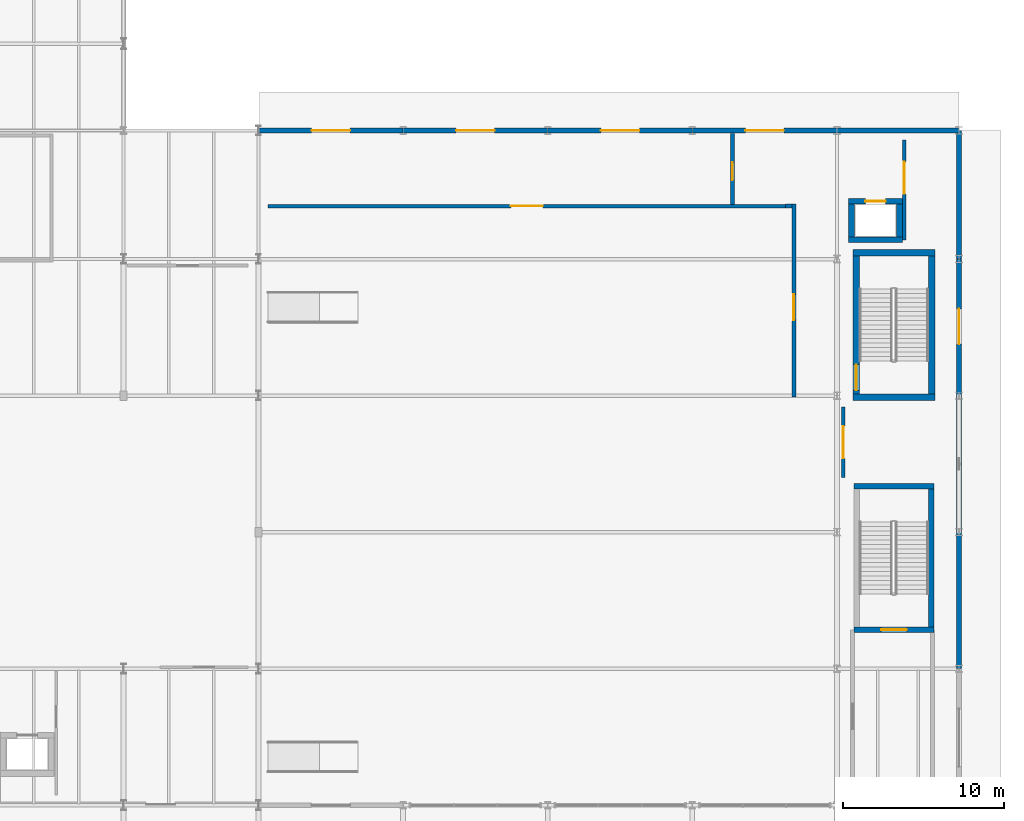
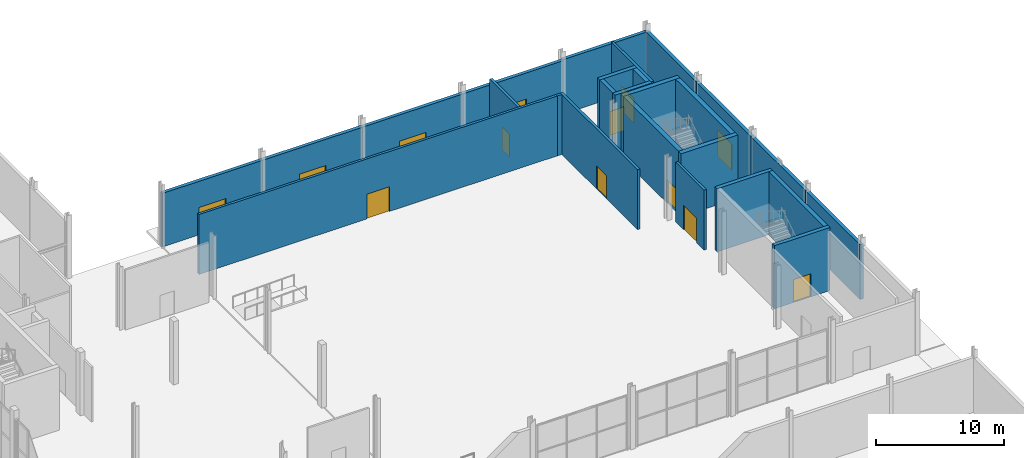
# One storey, part 63 of 84: 26 walls, 13 doors, 13 openings.
"""IFC4 building model written with IfcOpenShell, lengths in metres."""

from ifc_helpers import new_model, si_unit, direction, frame, frame_2d, origin, place, context, subcontext, project, spatial, rectangle, extrude, material, layer, layer_set, type_object, element, fill, save


model = new_model("IFC4")

# Units and contexts
model_context = context("Model", 3, precision=1e-05, world=origin(), true_north=direction((0.0, 1.0)))
body_context = subcontext(model_context, "Body", "Model", "MODEL_VIEW")
ifc_project = project(units=[si_unit("LENGTHUNIT", "METRE"), si_unit("AREAUNIT", "SQUARE_METRE"), si_unit("VOLUMEUNIT", "CUBIC_METRE"), si_unit("PLANEANGLEUNIT", "RADIAN"), si_unit("MASSUNIT", "GRAM", prefix="KILO")], contexts=[model_context])

# Site, building, storey
site_placement = place(None, origin())
site = spatial("IfcSite", under=ifc_project, at=site_placement, CompositionType="ELEMENT")
building_placement = place(site_placement, origin())
building = spatial("IfcBuilding", under=site, at=building_placement, Name="Sefraquen Railside Congress Hotel", CompositionType="ELEMENT")
storey_placement = place(building_placement, origin())
storey = spatial("IfcBuildingStorey", under=building, at=storey_placement, Name="L00", CompositionType="ELEMENT", Elevation=0.0)

# Wall, opening, door
ifc_material_1 = material(Name="Acoustic double stud and gypsum board", Category="gypsum")
ifc_layer_1 = layer(ifc_material_1, 0.219970703125)
ifc_layer_set_1 = layer_set([ifc_layer_1], Name="Acoustic double stud and gypsum board")
wall_type_1 = type_object("IfcWallType", Name="TW-AW-220", PredefinedType="PARTITIONING", material=ifc_layer_set_1)
wall_1_placement = place(storey_placement, frame((129.0, 91.300048828125, 0.0), z_axis=(0.0, 0.0, 1.0), x_axis=(1.0, 0.0, 0.0)))
wall_1 = element("IfcWall", 1, at=wall_1_placement, inside=storey, type_object=wall_type_1, Name="Grand Ballroom enclosure wall", PredefinedType="PARTITIONING", context=body_context, shape_type="SweptSolid", body=[
    extrude(rectangle(XDim=32.199951171875, YDim=0.219970703125, at=frame_2d((16.10009765625, 0.0))), origin(), (0.0, 0.0, 1.0), 5.699951171875),
])
opening_1_placement = place(wall_1_placement, frame((15.10009765625, 0.0, 0.0)))
opening_1 = element("IfcOpeningElement", 2, at=opening_1_placement, cuts=wall_1, Name="Opening AD-02", PredefinedType="OPENING", context=body_context, shape_type="SweptSolid", body=[
    extrude(rectangle(XDim=2.0, YDim=2.35009765625, at=frame_2d((1.0, 1.175048828125))), frame((0.0, 0.119873046875, 0.0), z_axis=(0.0, -1.0, 0.0), x_axis=(1.0, 0.0, 0.0)), (0.0, 0.0, 1.0), 0.239990234375),
])
ifc_material_2 = material(Name="Acoustic Atlas cedar timber", Category="wood")
door_type_1 = type_object("IfcDoorType", Name="TD-AD-02", OperationType="NOTDEFINED", PredefinedType="DOOR", material=ifc_material_2)
door_1_placement = place(opening_1_placement, origin())
door_1 = element("IfcDoor", 3, at=door_1_placement, inside=storey, type_object=door_type_1, Name="Grand Ballroom entrance door", OperationType="DOUBLE_SWING_LEFT", OverallHeight=2.35009765625, OverallWidth=2.0, PredefinedType="DOOR", context=body_context, shape_type="SweptSolid", body=[
    extrude(rectangle(XDim=2.0, YDim=2.35009765625, at=frame_2d((1.0, 1.175048828125))), frame((0.0, 0.02490234375, 0.0), z_axis=(0.0, -1.0, 0.0), x_axis=(1.0, 0.0, 0.0)), (0.0, 0.0, 1.0), 0.050048828125),
])
fill(opening_1, door_1)

wall_2_placement = place(storey_placement, frame((164.800048828125, 74.39990234375, 0.0), z_axis=(0.0, 0.0, 1.0), x_axis=(0.0, 1.0, 0.0)))
wall_2 = element("IfcWall", 4, at=wall_2_placement, inside=storey, type_object=wall_type_1, Name="Ballroom Banquet Finishing Pantry enclosure wall", PredefinedType="PARTITIONING", context=body_context, shape_type="SweptSolid", body=[
    extrude(rectangle(XDim=4.400146484375, YDim=0.219970703125, at=frame_2d((2.2001953125, 0.0))), origin(), (0.0, 0.0, 1.0), 5.699951171875),
])
opening_2_placement = place(wall_2_placement, frame((1.199951171875, 0.0, 0.0)))
opening_2 = element("IfcOpeningElement", 5, at=opening_2_placement, cuts=wall_2, Name="Opening AD-02", PredefinedType="OPENING", context=body_context, shape_type="SweptSolid", body=[
    extrude(rectangle(XDim=2.0, YDim=2.35009765625, at=frame_2d((1.0, 1.175048828125))), frame((0.0, 0.119873046875, 0.0), z_axis=(0.0, -1.0, 0.0), x_axis=(1.0, 0.0, 0.0)), (0.0, 0.0, 1.0), 0.239990234375),
])
door_2_placement = place(opening_2_placement, origin())
door_2 = element("IfcDoor", 6, at=door_2_placement, inside=storey, type_object=door_type_1, Name="Ballroom Banquet Finishing Pantry entrance door", OperationType="DOUBLE_SWING_LEFT", OverallHeight=2.35009765625, OverallWidth=2.0, PredefinedType="DOOR", context=body_context, shape_type="SweptSolid", body=[
    extrude(rectangle(XDim=2.0, YDim=2.35009765625, at=frame_2d((1.0, 1.175048828125))), frame((0.0, 0.02490234375, 0.0), z_axis=(0.0, -1.0, 0.0), x_axis=(1.0, 0.0, 0.0)), (0.0, 0.0, 1.0), 0.050048828125),
])
fill(opening_2, door_2)

wall_3_placement = place(storey_placement, frame((168.60009765625, 89.199951171875, 0.0), z_axis=(0.0, 0.0, 1.0), x_axis=(0.0, 1.0, 0.0)))
wall_3 = element("IfcWall", 7, at=wall_3_placement, inside=storey, type_object=wall_type_1, Name="Ballroom Public Accessible WC enclosure wall", PredefinedType="PARTITIONING", context=body_context, shape_type="SweptSolid", body=[
    extrude(rectangle(XDim=6.199951171875, YDim=0.219970703125, at=frame_2d((3.10009765625, 0.0))), origin(), (0.0, 0.0, 1.0), 5.699951171875),
])
opening_3_placement = place(wall_3_placement, frame((2.85009765625, 0.0, 0.0)))
opening_3 = element("IfcOpeningElement", 8, at=opening_3_placement, cuts=wall_3, Name="Opening AD-02", PredefinedType="OPENING", context=body_context, shape_type="SweptSolid", body=[
    extrude(rectangle(XDim=2.0, YDim=2.35009765625, at=frame_2d((1.0, 1.175048828125))), frame((0.0, 0.119873046875, 0.0), z_axis=(0.0, -1.0, 0.0), x_axis=(1.0, 0.0, 0.0)), (0.0, 0.0, 1.0), 0.239990234375),
])
door_3_placement = place(opening_3_placement, origin())
door_3 = element("IfcDoor", 9, at=door_3_placement, inside=storey, type_object=door_type_1, Name="Ballroom Public Accessible WC entrance door", OperationType="DOUBLE_SWING_LEFT", OverallHeight=2.35009765625, OverallWidth=2.0, PredefinedType="DOOR", context=body_context, shape_type="SweptSolid", body=[
    extrude(rectangle(XDim=2.0, YDim=2.35009765625, at=frame_2d((1.0, 1.175048828125))), frame((0.0, 0.02490234375, 0.0), z_axis=(0.0, -1.0, 0.0), x_axis=(1.0, 0.0, 0.0)), (0.0, 0.0, 1.0), 0.050048828125),
])
fill(opening_3, door_3)

# Wall
ifc_material_3 = material(Name="Concrete C50/60", Category="concrete")
ifc_layer_2 = layer(ifc_material_3, 0.35009765625)
ifc_layer_set_2 = layer_set([ifc_layer_2], Name="Concrete C50/60")
wall_type_2 = type_object("IfcWallType", Name="TW-CW-350", PredefinedType="SHEAR", material=ifc_layer_set_2)
wall_4_placement = place(storey_placement, frame((165.449951171875, 73.85498046875, 0.0), z_axis=(0.0, 0.0, 1.0), x_axis=(1.0, 0.0, 0.0)))
element("IfcWall", 10, at=wall_4_placement, inside=storey, type_object=wall_type_2, Name="Core shear wall ST-B02 N L00", PredefinedType="SHEAR", context=body_context, shape_type="SweptSolid", body=[
    extrude(rectangle(XDim=5.0, YDim=0.35009765625, at=frame_2d((2.5, 0.0))), origin(), (0.0, 0.0, 1.0), 6.0),
])

# Wall, opening, door
wall_5_placement = place(storey_placement, frame((165.449951171875, 64.925048828125, 0.0), z_axis=(0.0, 0.0, 1.0), x_axis=(1.0, 0.0, 0.0)))
wall_5 = element("IfcWall", 11, at=wall_5_placement, inside=storey, type_object=wall_type_2, Name="Core shear wall ST-B02 S L00", PredefinedType="SHEAR", context=body_context, shape_type="SweptSolid", body=[
    extrude(rectangle(XDim=5.0, YDim=0.35009765625, at=frame_2d((2.5, 0.0))), origin(), (0.0, 0.0, 1.0), 6.0),
])
opening_4_placement = place(wall_5_placement, frame((1.699951171875, 0.0, 0.0)))
opening_4 = element("IfcOpeningElement", 12, at=opening_4_placement, cuts=wall_5, Name="Opening FD-02", PredefinedType="OPENING", context=body_context, shape_type="SweptSolid", body=[
    extrude(rectangle(XDim=1.60009765625, YDim=2.199951171875, at=frame_2d((0.800048828125, 1.10009765625))), frame((0.0, 0.18505859375, 0.0), z_axis=(0.0, -1.0, 0.0), x_axis=(1.0, 0.0, 0.0)), (0.0, 0.0, 1.0), 0.3701171875),
])
ifc_material_4 = material(Name="Fire-rated steel", Category="steel")
door_type_2 = type_object("IfcDoorType", Name="TD-FD-02", OperationType="NOTDEFINED", PredefinedType="DOOR", material=ifc_material_4)
door_4_placement = place(opening_4_placement, frame((1.60009765625, 0.0, 0.0), z_axis=(0.0, 0.0, 1.0), x_axis=(-1.0, 0.0, 0.0)))
door_4 = element("IfcDoor", 13, at=door_4_placement, inside=storey, type_object=door_type_2, Name="Pressurized stair ST-B02 fire door L00", OperationType="SINGLE_SWING_RIGHT", OverallHeight=2.199951171875, OverallWidth=1.60009765625, PredefinedType="DOOR", context=body_context, shape_type="SweptSolid", body=[
    extrude(rectangle(XDim=1.60009765625, YDim=2.199951171875, at=frame_2d((0.800048828125, 1.10009765625))), frame((0.0, 0.02490234375, 0.0), z_axis=(0.0, -1.0, 0.0), x_axis=(1.0, 0.0, 0.0)), (0.0, 0.0, 1.0), 0.050048828125),
])
fill(opening_4, door_4)

# Wall
wall_6_placement = place(storey_placement, frame((170.27490234375, 65.10009765625, 0.0), z_axis=(0.0, 0.0, 1.0), x_axis=(0.0, 1.0, 0.0)))
element("IfcWall", 14, at=wall_6_placement, inside=storey, type_object=wall_type_2, Name="Core shear wall ST-B02 E L00", PredefinedType="SHEAR", context=body_context, shape_type="SweptSolid", body=[
    extrude(rectangle(XDim=8.579833984375, YDim=0.35009765625, at=frame_2d((4.2900390625, 0.0))), origin(), (0.0, 0.0, 1.0), 6.0),
])

# Wall, opening, door
wall_7_placement = place(storey_placement, frame((165.1298828125, 91.594970703125, 0.0), z_axis=(0.0, 0.0, 1.0), x_axis=(1.0, 0.0, 0.0)))
wall_7 = element("IfcWall", 15, at=wall_7_placement, inside=storey, type_object=wall_type_2, Name="Lift SL-02 shaft wall N L00", PredefinedType="SHEAR", context=body_context, shape_type="SweptSolid", body=[
    extrude(rectangle(XDim=3.340087890625, YDim=0.35009765625, at=frame_2d((1.669921875, 0.0))), origin(), (0.0, 0.0, 1.0), 5.699951171875),
])
opening_5_placement = place(wall_7_placement, frame((1.044921875, 0.0, 0.0)))
opening_5 = element("IfcOpeningElement", 16, at=opening_5_placement, cuts=wall_7, Name="Opening LD-02", PredefinedType="OPENING", context=body_context, shape_type="SweptSolid", body=[
    extrude(rectangle(XDim=1.25, YDim=2.25, at=frame_2d((0.625, 1.125))), frame((0.0, 0.18505859375, 0.0), z_axis=(0.0, -1.0, 0.0), x_axis=(1.0, 0.0, 0.0)), (0.0, 0.0, 1.0), 0.3701171875),
])
ifc_material_5 = material(Name="Brushed stainless steel", Category="steel")
door_type_3 = type_object("IfcDoorType", Name="TD-LD-02", OperationType="NOTDEFINED", PredefinedType="DOOR", material=ifc_material_5)
door_5_placement = place(opening_5_placement, origin())
door_5 = element("IfcDoor", 17, at=door_5_placement, inside=storey, type_object=door_type_3, Name="Lift landing door SL-02 L00", OperationType="SLIDING_TO_LEFT", OverallHeight=2.25, OverallWidth=1.25, PredefinedType="DOOR", context=body_context, shape_type="SweptSolid", body=[
    extrude(rectangle(XDim=1.25, YDim=2.25, at=frame_2d((0.625, 1.125))), frame((0.0, 0.02490234375, 0.0), z_axis=(0.0, -1.0, 0.0), x_axis=(1.0, 0.0, 0.0)), (0.0, 0.0, 1.0), 0.050048828125),
])
fill(opening_5, door_5)

# Walls
wall_8_placement = place(storey_placement, frame((165.1298828125, 89.205078125, 0.0), z_axis=(0.0, 0.0, 1.0), x_axis=(1.0, 0.0, 0.0)))
element("IfcWall", 18, at=wall_8_placement, inside=storey, type_object=wall_type_2, Name="Lift SL-02 shaft wall S L00", PredefinedType="SHEAR", context=body_context, shape_type="SweptSolid", body=[
    extrude(rectangle(XDim=3.340087890625, YDim=0.35009765625, at=frame_2d((1.669921875, 0.0))), origin(), (0.0, 0.0, 1.0), 5.699951171875),
])
for number, where, z_axis, x_axis, name in (
    (19, (165.304931640625, 89.3798828125, 0.0), (0.0, 0.0, 1.0), (0.0, 1.0, 0.0), "Lift SL-02 shaft wall W L00"),
    (20, (168.294921875, 89.3798828125, 0.0), (0.0, 0.0, 1.0), (0.0, 1.0, 0.0), "Lift SL-02 shaft wall E L00"),
):
    element("IfcWall", number, at=place(storey_placement, frame(where, z_axis=z_axis, x_axis=x_axis)), inside=storey, type_object=wall_type_2, Name=name, PredefinedType="SHEAR", context=body_context, shape_type="SweptSolid", body=[
        extrude(rectangle(XDim=2.0400390625, YDim=0.35009765625, at=frame_2d((1.02001953125, 0.0))), origin(), (0.0, 0.0, 1.0), 5.699951171875),
    ])
ifc_layer_3 = layer(ifc_material_3, 0.39990234375)
ifc_layer_set_3 = layer_set([ifc_layer_3], Name="Concrete C50/60")
wall_type_3 = type_object("IfcWallType", Name="TW-CW-400", PredefinedType="SHEAR", material=ifc_layer_set_3)
for number, where, z_axis, x_axis, name in (
    (21, (165.39990234375, 88.3798828125, 0.0), (0.0, 0.0, 1.0), (1.0, 0.0, 0.0), "Core shear wall ST-B01 N L00"),
    (22, (165.39990234375, 79.39990234375, 0.0), (0.0, 0.0, 1.0), (1.0, 0.0, 0.0), "Core shear wall ST-B01 S L00"),
):
    element("IfcWall", number, at=place(storey_placement, frame(where, z_axis=z_axis, x_axis=x_axis)), inside=storey, type_object=wall_type_3, Name=name, PredefinedType="SHEAR", context=body_context, shape_type="SweptSolid", body=[
        extrude(rectangle(XDim=5.10009765625, YDim=0.39990234375, at=frame_2d((2.550048828125, 0.0))), origin(), (0.0, 0.0, 1.0), 6.0),
    ])

# Wall, opening, door
wall_9_placement = place(storey_placement, frame((165.60009765625, 79.60009765625, 0.0), z_axis=(0.0, 0.0, 1.0), x_axis=(0.0, 1.0, 0.0)))
wall_9 = element("IfcWall", 23, at=wall_9_placement, inside=storey, type_object=wall_type_3, Name="Core shear wall ST-B01 W L00", PredefinedType="SHEAR", context=body_context, shape_type="SweptSolid", body=[
    extrude(rectangle(XDim=8.579833984375, YDim=0.39990234375, at=frame_2d((4.2900390625, 0.0))), origin(), (0.0, 0.0, 1.0), 6.0),
])
opening_6_placement = place(wall_9_placement, frame((0.22509765625, 0.0, 0.0)))
opening_6 = element("IfcOpeningElement", 24, at=opening_6_placement, cuts=wall_9, Name="Opening FD-02", PredefinedType="OPENING", context=body_context, shape_type="SweptSolid", body=[
    extrude(rectangle(XDim=1.60009765625, YDim=2.199951171875, at=frame_2d((0.800048828125, 1.10009765625))), frame((0.0, 0.2099609375, 0.0), z_axis=(0.0, -1.0, 0.0), x_axis=(1.0, 0.0, 0.0)), (0.0, 0.0, 1.0), 0.419921875),
])
door_6_placement = place(opening_6_placement, origin())
door_6 = element("IfcDoor", 25, at=door_6_placement, inside=storey, type_object=door_type_2, Name="Pressurized stair ST-B01 fire door L00", OperationType="SINGLE_SWING_RIGHT", OverallHeight=2.199951171875, OverallWidth=1.60009765625, PredefinedType="DOOR", context=body_context, shape_type="SweptSolid", body=[
    extrude(rectangle(XDim=1.60009765625, YDim=2.199951171875, at=frame_2d((0.800048828125, 1.10009765625))), frame((0.0, 0.02490234375, 0.0), z_axis=(0.0, -1.0, 0.0), x_axis=(1.0, 0.0, 0.0)), (0.0, 0.0, 1.0), 0.050048828125),
])
fill(opening_6, door_6)

# Wall
wall_10_placement = place(storey_placement, frame((170.300048828125, 79.60009765625, 0.0), z_axis=(0.0, 0.0, 1.0), x_axis=(0.0, 1.0, 0.0)))
element("IfcWall", 26, at=wall_10_placement, inside=storey, type_object=wall_type_3, Name="Core shear wall ST-B01 E L00", PredefinedType="SHEAR", context=body_context, shape_type="SweptSolid", body=[
    extrude(rectangle(XDim=8.579833984375, YDim=0.39990234375, at=frame_2d((4.2900390625, 0.0))), origin(), (0.0, 0.0, 1.0), 6.0),
])

# Wall, opening, door
ifc_material_6 = material(Name="Ochre Rabat calcarenite limestone and Concrete C40/50 backing", Category="masonry")
ifc_layer_4 = layer(ifc_material_6, 0.300048828125)
ifc_layer_set_4 = layer_set([ifc_layer_4], Name="Ochre Rabat calcarenite limestone and Concrete C40/50 backing")
wall_type_4 = type_object("IfcWallType", Name="TW-EW-300", PredefinedType="STANDARD", material=ifc_layer_set_4)
wall_11_placement = place(storey_placement, frame((128.39990234375, 96.0, 0.0), z_axis=(0.0, 0.0, 1.0), x_axis=(1.0, 0.0, 0.0)))
wall_11 = element("IfcWall", 27, at=wall_11_placement, inside=storey, type_object=wall_type_4, Name="Grand Ballroom L00 N facade wall 1", PredefinedType="STANDARD", context=body_context, shape_type="SweptSolid", body=[
    extrude(rectangle(XDim=9.0, YDim=0.300048828125, at=frame_2d((4.5, 0.0))), origin(), (0.0, 0.0, 1.0), 5.090087890625),
])
opening_7_placement = place(wall_11_placement, frame((3.300048828125, 0.0, 0.0)))
opening_7 = element("IfcOpeningElement", 28, at=opening_7_placement, cuts=wall_11, Name="Opening ED-01", PredefinedType="OPENING", context=body_context, shape_type="SweptSolid", body=[
    extrude(rectangle(XDim=2.39990234375, YDim=2.60009765625, at=frame_2d((1.199951171875, 1.300048828125))), frame((0.0, 0.159912109375, 0.0), z_axis=(0.0, -1.0, 0.0), x_axis=(1.0, 0.0, 0.0)), (0.0, 0.0, 1.0), 0.320068359375),
])
ifc_material_7 = material(Name="Bronze and fire-rated laminated glass", Category="glass")
door_type_4 = type_object("IfcDoorType", Name="TD-ED-01", OperationType="NOTDEFINED", PredefinedType="DOOR", material=ifc_material_7)
door_7_placement = place(opening_7_placement, origin())
door_7 = element("IfcDoor", 29, at=door_7_placement, inside=storey, type_object=door_type_4, Name="Grand Ballroom north foyer final exit door 12", OperationType="DOUBLE_SWING_LEFT", OverallHeight=2.60009765625, OverallWidth=2.39990234375, PredefinedType="DOOR", context=body_context, shape_type="SweptSolid", body=[
    extrude(rectangle(XDim=2.39990234375, YDim=2.60009765625, at=frame_2d((1.199951171875, 1.300048828125))), frame((0.0, 0.02490234375, 0.0), z_axis=(0.0, -1.0, 0.0), x_axis=(1.0, 0.0, 0.0)), (0.0, 0.0, 1.0), 0.050048828125),
])
fill(opening_7, door_7)

wall_12_placement = place(storey_placement, frame((137.39990234375, 96.0, 0.0), z_axis=(0.0, 0.0, 1.0), x_axis=(1.0, 0.0, 0.0)))
wall_12 = element("IfcWall", 30, at=wall_12_placement, inside=storey, type_object=wall_type_4, Name="Grand Ballroom L00 N facade wall 2", PredefinedType="STANDARD", context=body_context, shape_type="SweptSolid", body=[
    extrude(rectangle(XDim=9.0, YDim=0.300048828125, at=frame_2d((4.5, 0.0))), origin(), (0.0, 0.0, 1.0), 5.090087890625),
])
opening_8_placement = place(wall_12_placement, frame((3.300048828125, 0.0, 0.0)))
opening_8 = element("IfcOpeningElement", 31, at=opening_8_placement, cuts=wall_12, Name="Opening ED-01", PredefinedType="OPENING", context=body_context, shape_type="SweptSolid", body=[
    extrude(rectangle(XDim=2.39990234375, YDim=2.60009765625, at=frame_2d((1.199951171875, 1.300048828125))), frame((0.0, 0.159912109375, 0.0), z_axis=(0.0, -1.0, 0.0), x_axis=(1.0, 0.0, 0.0)), (0.0, 0.0, 1.0), 0.320068359375),
])
door_8_placement = place(opening_8_placement, origin())
door_8 = element("IfcDoor", 32, at=door_8_placement, inside=storey, type_object=door_type_4, Name="Grand Ballroom north foyer final exit door 13", OperationType="DOUBLE_SWING_LEFT", OverallHeight=2.60009765625, OverallWidth=2.39990234375, PredefinedType="DOOR", context=body_context, shape_type="SweptSolid", body=[
    extrude(rectangle(XDim=2.39990234375, YDim=2.60009765625, at=frame_2d((1.199951171875, 1.300048828125))), frame((0.0, 0.02490234375, 0.0), z_axis=(0.0, -1.0, 0.0), x_axis=(1.0, 0.0, 0.0)), (0.0, 0.0, 1.0), 0.050048828125),
])
fill(opening_8, door_8)

wall_13_placement = place(storey_placement, frame((146.39990234375, 96.0, 0.0), z_axis=(0.0, 0.0, 1.0), x_axis=(1.0, 0.0, 0.0)))
wall_13 = element("IfcWall", 33, at=wall_13_placement, inside=storey, type_object=wall_type_4, Name="Grand Ballroom L00 N facade wall 3", PredefinedType="STANDARD", context=body_context, shape_type="SweptSolid", body=[
    extrude(rectangle(XDim=9.0, YDim=0.300048828125, at=frame_2d((4.5, 0.0))), origin(), (0.0, 0.0, 1.0), 5.090087890625),
])
opening_9_placement = place(wall_13_placement, frame((3.300048828125, 0.0, 0.0)))
opening_9 = element("IfcOpeningElement", 34, at=opening_9_placement, cuts=wall_13, Name="Opening ED-01", PredefinedType="OPENING", context=body_context, shape_type="SweptSolid", body=[
    extrude(rectangle(XDim=2.39990234375, YDim=2.60009765625, at=frame_2d((1.199951171875, 1.300048828125))), frame((0.0, 0.159912109375, 0.0), z_axis=(0.0, -1.0, 0.0), x_axis=(1.0, 0.0, 0.0)), (0.0, 0.0, 1.0), 0.320068359375),
])
door_9_placement = place(opening_9_placement, origin())
door_9 = element("IfcDoor", 35, at=door_9_placement, inside=storey, type_object=door_type_4, Name="Grand Ballroom north foyer final exit door 14", OperationType="DOUBLE_SWING_LEFT", OverallHeight=2.60009765625, OverallWidth=2.39990234375, PredefinedType="DOOR", context=body_context, shape_type="SweptSolid", body=[
    extrude(rectangle(XDim=2.39990234375, YDim=2.60009765625, at=frame_2d((1.199951171875, 1.300048828125))), frame((0.0, 0.02490234375, 0.0), z_axis=(0.0, -1.0, 0.0), x_axis=(1.0, 0.0, 0.0)), (0.0, 0.0, 1.0), 0.050048828125),
])
fill(opening_9, door_9)

wall_14_placement = place(storey_placement, frame((155.39990234375, 96.0, 0.0), z_axis=(0.0, 0.0, 1.0), x_axis=(1.0, 0.0, 0.0)))
wall_14 = element("IfcWall", 36, at=wall_14_placement, inside=storey, type_object=wall_type_4, Name="Grand Ballroom L00 N facade wall 4", PredefinedType="STANDARD", context=body_context, shape_type="SweptSolid", body=[
    extrude(rectangle(XDim=9.0, YDim=0.300048828125, at=frame_2d((4.5, 0.0))), origin(), (0.0, 0.0, 1.0), 5.090087890625),
])
opening_10_placement = place(wall_14_placement, frame((3.300048828125, 0.0, 0.0)))
opening_10 = element("IfcOpeningElement", 37, at=opening_10_placement, cuts=wall_14, Name="Opening ED-01", PredefinedType="OPENING", context=body_context, shape_type="SweptSolid", body=[
    extrude(rectangle(XDim=2.39990234375, YDim=2.60009765625, at=frame_2d((1.199951171875, 1.300048828125))), frame((0.0, 0.159912109375, 0.0), z_axis=(0.0, -1.0, 0.0), x_axis=(1.0, 0.0, 0.0)), (0.0, 0.0, 1.0), 0.320068359375),
])
door_10_placement = place(opening_10_placement, origin())
door_10 = element("IfcDoor", 38, at=door_10_placement, inside=storey, type_object=door_type_4, Name="Grand Ballroom north foyer final exit door 15", OperationType="DOUBLE_SWING_LEFT", OverallHeight=2.60009765625, OverallWidth=2.39990234375, PredefinedType="DOOR", context=body_context, shape_type="SweptSolid", body=[
    extrude(rectangle(XDim=2.39990234375, YDim=2.60009765625, at=frame_2d((1.199951171875, 1.300048828125))), frame((0.0, 0.02490234375, 0.0), z_axis=(0.0, -1.0, 0.0), x_axis=(1.0, 0.0, 0.0)), (0.0, 0.0, 1.0), 0.050048828125),
])
fill(opening_10, door_10)

# Walls
wall_15_placement = place(storey_placement, frame((164.39990234375, 96.0, 0.0), z_axis=(0.0, 0.0, 1.0), x_axis=(1.0, 0.0, 0.0)))
element("IfcWall", 39, at=wall_15_placement, inside=storey, type_object=wall_type_4, Name="Grand Ballroom L00 N facade wall 5", PredefinedType="STANDARD", context=body_context, shape_type="SweptSolid", body=[
    extrude(rectangle(XDim=7.60009765625, YDim=0.300048828125, at=frame_2d((3.800048828125, 0.0))), origin(), (0.0, 0.0, 1.0), 5.18994140625),
])
for number, where, z_axis, x_axis, name in (
    (40, (172.0, 62.5, 0.0), (0.0, 0.0, 1.0), (0.0, 1.0, 0.0), "Grand Ballroom L00 east service facade wall 2"),
    (41, (172.0, 71.0, 0.0), (0.0, 0.0, 1.0), (0.0, 1.0, 0.0), "Grand Ballroom L00 east service facade wall 3"),
):
    element("IfcWall", number, at=place(storey_placement, frame(where, z_axis=z_axis, x_axis=x_axis)), inside=storey, type_object=wall_type_4, Name=name, PredefinedType="STANDARD", context=body_context, shape_type="SweptSolid", body=[
        extrude(rectangle(XDim=8.5, YDim=0.300048828125, at=frame_2d((4.25, 0.0))), origin(), (0.0, 0.0, 1.0), 5.199951171875),
    ])

# Wall, opening, door
wall_16_placement = place(storey_placement, frame((172.0, 79.5, 0.0), z_axis=(0.0, 0.0, 1.0), x_axis=(0.0, 1.0, 0.0)))
wall_16 = element("IfcWall", 42, at=wall_16_placement, inside=storey, type_object=wall_type_4, Name="Grand Ballroom L00 east service facade wall 4", PredefinedType="STANDARD", context=body_context, shape_type="SweptSolid", body=[
    extrude(rectangle(XDim=8.5, YDim=0.300048828125, at=frame_2d((4.25, 0.0))), origin(), (0.0, 0.0, 1.0), 5.199951171875),
])
opening_11_placement = place(wall_16_placement, frame((3.199951171875, 0.0, 0.0)))
opening_11 = element("IfcOpeningElement", 43, at=opening_11_placement, cuts=wall_16, Name="Opening ED-03", PredefinedType="OPENING", context=body_context, shape_type="SweptSolid", body=[
    extrude(rectangle(XDim=2.199951171875, YDim=2.5, at=frame_2d((1.10009765625, 1.25))), frame((0.0, 0.159912109375, 0.0), z_axis=(0.0, -1.0, 0.0), x_axis=(1.0, 0.0, 0.0)), (0.0, 0.0, 1.0), 0.320068359375),
])
door_type_5 = type_object("IfcDoorType", Name="TD-ED-03", OperationType="NOTDEFINED", PredefinedType="DOOR", material=ifc_material_7)
door_11_placement = place(opening_11_placement, frame((2.199951171875, 0.0, 0.0), z_axis=(0.0, 0.0, 1.0), x_axis=(-1.0, 0.0, 0.0)))
door_11 = element("IfcDoor", 44, at=door_11_placement, inside=storey, type_object=door_type_5, Name="Grand Ballroom east final exit door 16", OperationType="DOUBLE_SWING_LEFT", OverallHeight=2.5, OverallWidth=2.199951171875, PredefinedType="DOOR", context=body_context, shape_type="SweptSolid", body=[
    extrude(rectangle(XDim=2.199951171875, YDim=2.5, at=frame_2d((1.10009765625, 1.25))), frame((0.0, 0.02490234375, 0.0), z_axis=(0.0, -1.0, 0.0), x_axis=(1.0, 0.0, 0.0)), (0.0, 0.0, 1.0), 0.050048828125),
])
fill(opening_11, door_11)

# Wall
wall_17_placement = place(storey_placement, frame((172.0, 88.0, 0.0), z_axis=(0.0, 0.0, 1.0), x_axis=(0.0, 1.0, 0.0)))
element("IfcWall", 45, at=wall_17_placement, inside=storey, type_object=wall_type_4, Name="Grand Ballroom L00 east service facade wall 5", PredefinedType="STANDARD", context=body_context, shape_type="SweptSolid", body=[
    extrude(rectangle(XDim=8.0, YDim=0.300048828125, at=frame_2d((4.0, 0.0))), origin(), (0.0, 0.0, 1.0), 5.239990234375),
])

# Wall, opening, door
ifc_material_8 = material(Name="Concrete C40/50", Category="concrete")
ifc_layer_5 = layer(ifc_material_8, 0.239990234375)
ifc_layer_set_5 = layer_set([ifc_layer_5], Name="Concrete C40/50")
wall_type_5 = type_object("IfcWallType", Name="TW-FW-240", PredefinedType="STANDARD", material=ifc_layer_set_5)
wall_18_placement = place(storey_placement, frame((161.719970703125, 79.39990234375, 0.0), z_axis=(0.0, 0.0, 1.0), x_axis=(0.0, 1.0, 0.0)))
wall_18 = element("IfcWall", 46, at=wall_18_placement, inside=storey, type_object=wall_type_5, Name="Ballroom NE stair discharge EI 120 west fire wall", PredefinedType="STANDARD", context=body_context, shape_type="SweptSolid", body=[
    extrude(rectangle(XDim=12.02001953125, YDim=0.239990234375, at=frame_2d((6.010009765625, 0.0))), origin(), (0.0, 0.0, 1.0), 5.699951171875),
])
opening_12_placement = place(wall_18_placement, frame((4.800048828125, 0.0, 0.0)))
opening_12 = element("IfcOpeningElement", 47, at=opening_12_placement, cuts=wall_18, Name="Opening FD-02", PredefinedType="OPENING", context=body_context, shape_type="SweptSolid", body=[
    extrude(rectangle(XDim=1.60009765625, YDim=2.199951171875, at=frame_2d((0.800048828125, 1.10009765625))), frame((0.0, 0.1298828125, 0.0), z_axis=(0.0, -1.0, 0.0), x_axis=(1.0, 0.0, 0.0)), (0.0, 0.0, 1.0), 0.260009765625),
])
door_12_placement = place(opening_12_placement, origin())
door_12 = element("IfcDoor", 48, at=door_12_placement, inside=storey, type_object=door_type_2, Name="Ballroom NE stair discharge EI 120 west fire wall self-closing fire door", OperationType="DOUBLE_SWING_LEFT", OverallHeight=2.199951171875, OverallWidth=1.60009765625, PredefinedType="DOOR", context=body_context, shape_type="SweptSolid", body=[
    extrude(rectangle(XDim=1.60009765625, YDim=2.199951171875, at=frame_2d((0.800048828125, 1.10009765625))), frame((0.0, 0.02490234375, 0.0), z_axis=(0.0, -1.0, 0.0), x_axis=(1.0, 0.0, 0.0)), (0.0, 0.0, 1.0), 0.050048828125),
])
fill(opening_12, door_12)

wall_19_placement = place(storey_placement, frame((157.89990234375, 91.409912109375, 0.0), z_axis=(0.0, 0.0, 1.0), x_axis=(0.0, 1.0, 0.0)))
wall_19 = element("IfcWall", 49, at=wall_19_placement, inside=storey, type_object=wall_type_5, Name="Ballroom north stair discharge EI 120 west fire wall", PredefinedType="STANDARD", context=body_context, shape_type="SweptSolid", body=[
    extrude(rectangle(XDim=4.41015625, YDim=0.239990234375, at=frame_2d((2.205078125, 0.0))), origin(), (0.0, 0.0, 1.0), 5.699951171875),
])
opening_13_placement = place(wall_19_placement, frame((1.5, 0.0, 0.0)))
opening_13 = element("IfcOpeningElement", 50, at=opening_13_placement, cuts=wall_19, Name="Opening FD-04", PredefinedType="OPENING", context=body_context, shape_type="SweptSolid", body=[
    extrude(rectangle(XDim=1.10009765625, YDim=2.199951171875, at=frame_2d((0.550048828125, 1.10009765625))), frame((0.0, 0.1298828125, 0.0), z_axis=(0.0, -1.0, 0.0), x_axis=(1.0, 0.0, 0.0)), (0.0, 0.0, 1.0), 0.260009765625),
])
door_type_6 = type_object("IfcDoorType", Name="TD-FD-04", OperationType="NOTDEFINED", PredefinedType="DOOR", material=ifc_material_4)
door_13_placement = place(opening_13_placement, origin())
door_13 = element("IfcDoor", 51, at=door_13_placement, inside=storey, type_object=door_type_6, Name="Ballroom north stair discharge EI 120 west fire wall self-closing fire door", OperationType="SINGLE_SWING_RIGHT", OverallHeight=2.199951171875, OverallWidth=1.10009765625, PredefinedType="DOOR", context=body_context, shape_type="SweptSolid", body=[
    extrude(rectangle(XDim=1.10009765625, YDim=2.199951171875, at=frame_2d((0.550048828125, 1.10009765625))), frame((0.0, 0.02490234375, 0.0), z_axis=(0.0, -1.0, 0.0), x_axis=(1.0, 0.0, 0.0)), (0.0, 0.0, 1.0), 0.050048828125),
])
fill(opening_13, door_13)

# Wall
wall_20_placement = place(storey_placement, frame((161.199951171875, 91.300048828125, 0.0), z_axis=(0.0, 0.0, 1.0), x_axis=(1.0, 0.0, 0.0)))
element("IfcWall", 52, at=wall_20_placement, inside=storey, type_object=wall_type_5, Name="Ballroom north stair discharge EI 120 south fire wall", PredefinedType="STANDARD", context=body_context, shape_type="SweptSolid", body=[
    extrude(rectangle(XDim=0.400146484375, YDim=0.239990234375, at=frame_2d((0.2001953125, 0.0))), origin(), (0.0, 0.0, 1.0), 5.699951171875),
])

save(model, "model.ifc")
